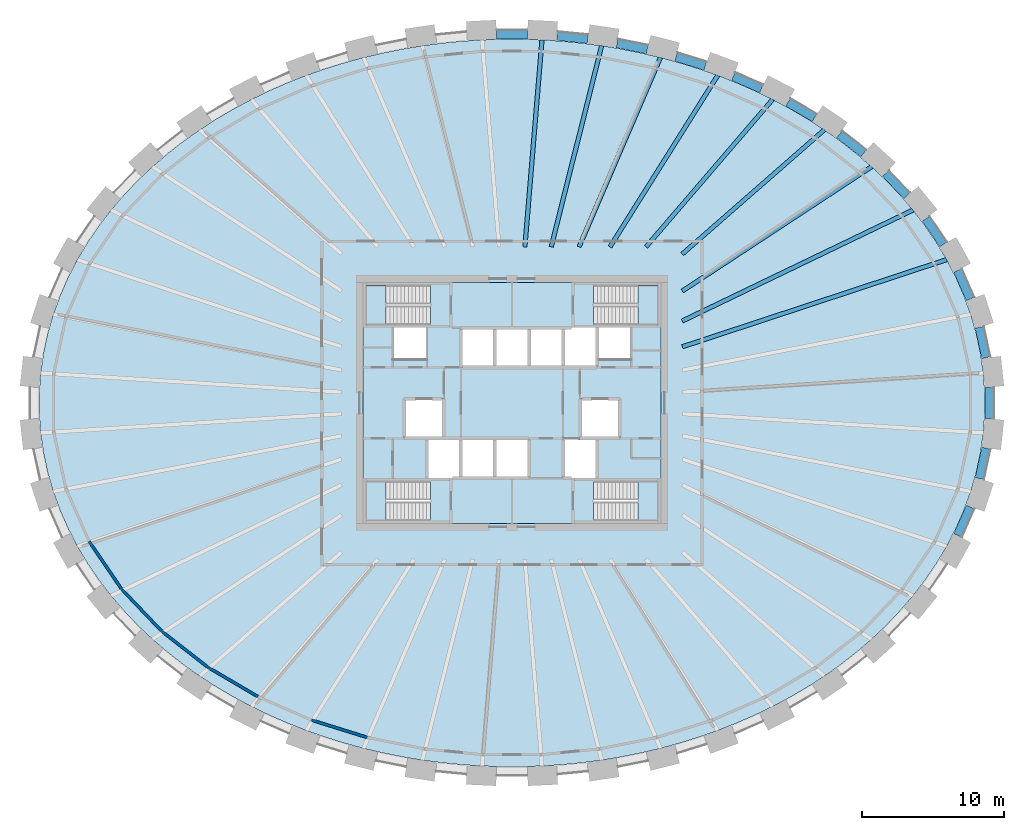
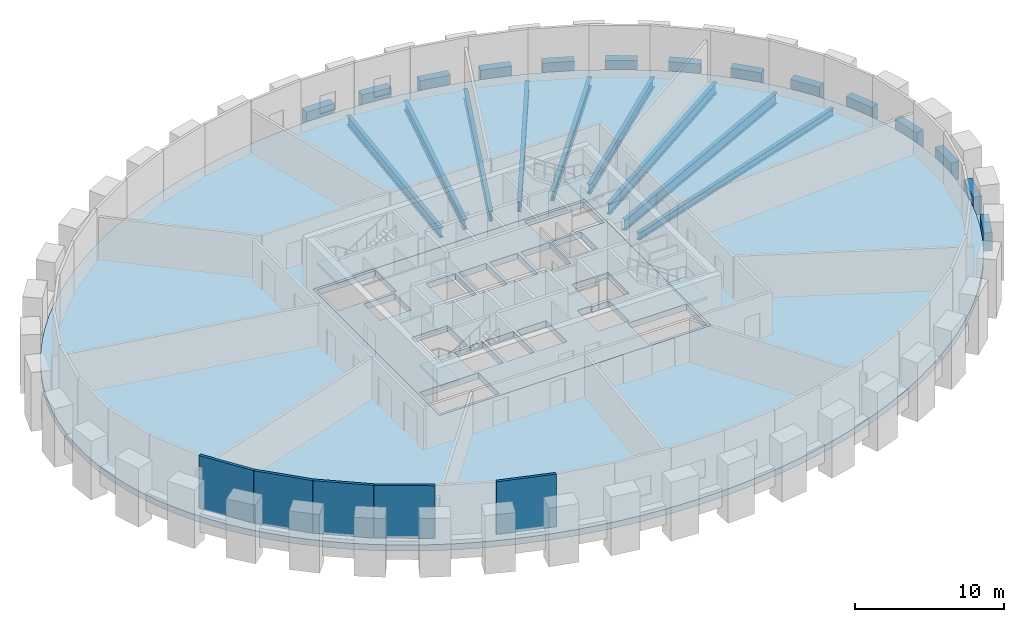
# One storey, part 2 of 8: 23 beams, 6 slabs, 5 walls, 4 elements without a shape of their own.
"""IFC4 building model written with IfcOpenShell, lengths in metres."""

from ifc_helpers import new_model, si_unit, direction, frame, frame_2d, origin, origin_2d, place, context, subcontext, project, spatial, polyline, rectangle, i_section, outline, extrude, source, transform, mapped, material, layer, layer_set, material_profile, profile_set, type_object, element, aggregate, save


model = new_model("IFC4")

# Units and contexts
model_context = context("Model", 3, precision=1e-05, world=origin(), true_north=direction((0.0, 1.0)))
body_context = subcontext(model_context, "Body", "Model", "MODEL_VIEW")
ifc_project = project(units=[si_unit("LENGTHUNIT", "METRE"), si_unit("AREAUNIT", "SQUARE_METRE"), si_unit("VOLUMEUNIT", "CUBIC_METRE"), si_unit("PLANEANGLEUNIT", "RADIAN"), si_unit("MASSUNIT", "GRAM", prefix="KILO")], contexts=[model_context])

# Site, building, storey
site_placement = place(None, origin())
site = spatial("IfcSite", under=ifc_project, at=site_placement, CompositionType="ELEMENT")
building_placement = place(site_placement, origin())
building = spatial("IfcBuilding", under=site, at=building_placement, Name="Embergate Tower", CompositionType="ELEMENT")
storey_placement = place(building_placement, frame((0.0, 0.0, 241.60009765625)))
storey = spatial("IfcBuildingStorey", under=building, at=storey_placement, Name="L55", CompositionType="ELEMENT", Elevation=241.60009765625)

# Beams
ifc_material_1 = material(Name="Concrete C60", Category="concrete")
ifc_material_profile_1 = material_profile(ifc_material_1, rectangle(XDim=0.60009765625, YDim=1.5, at=origin_2d()), Name="RC 600x1500")
ifc_profile_set_1 = profile_set([ifc_material_profile_1], Name="Concrete C60")
beam_type_1 = type_object("IfcBeamType", Name="Spandrel beam RC 600x1500 C60", PredefinedType="BEAM", material=ifc_profile_set_1)
shared_shape_1 = source(origin(), body_context, "Body", "SweptSolid", [
    extrude(rectangle(XDim=0.60009765625, YDim=1.5, at=origin_2d()), origin(), (0.0, 0.0, 1.0), 2.19189453125),
])
for number, where, z_axis, x_axis, name in (
    (1, (33.39306640625, 3.18505859375, 0.0), (-0.210403774282, 0.977614572195, 0.0), (-0.977614572195, -0.210403774282, 0.0), "SPN-L55-00"),
    (2, (32.931884765625, -5.327880859375, 0.0), (0.210403774282, 0.977614572195, 0.0), (-0.977614572195, 0.210403774282, 0.0), "SPN-L55-42"),
):
    element("IfcBeam", number, at=place(storey_placement, frame(where, z_axis=z_axis, x_axis=x_axis)), inside=storey, type_object=beam_type_1, Name=name, PredefinedType="BEAM", context=body_context, shape_type="MappedRepresentation", body=[
        mapped(shared_shape_1, transform((0.0, 0.0, 0.0))),
    ])
shared_shape_2 = source(origin(), body_context, "Body", "SweptSolid", [
    extrude(rectangle(XDim=0.60009765625, YDim=1.5, at=origin_2d()), origin(), (0.0, 0.0, 1.0), 2.189697265625),
])
for number, where, z_axis, x_axis, name in (
    (3, (32.285888671875, 7.326904296875, 0.0), (-0.40183045861, 0.915714083398, 0.0), (-0.915714083398, -0.40183045861, 0.0), "SPN-L55-01"),
    (4, (31.406005859375, -9.33203125, 0.0), (0.40183045861, 0.915714083398, 0.0), (-0.915714083398, 0.40183045861, 0.0), "SPN-L55-41"),
):
    element("IfcBeam", number, at=place(storey_placement, frame(where, z_axis=z_axis, x_axis=x_axis)), inside=storey, type_object=beam_type_1, Name=name, PredefinedType="BEAM", context=body_context, shape_type="MappedRepresentation", body=[
        mapped(shared_shape_2, transform((0.0, 0.0, 0.0))),
    ])
shared_shape_3 = source(origin(), body_context, "Body", "SweptSolid", [
    extrude(rectangle(XDim=0.60009765625, YDim=1.5, at=origin_2d()), origin(), (0.0, 0.0, 1.0), 2.18408203125),
])
beam_1_placement = place(storey_placement, frame((30.388916015625, 11.169921875, 0.0), z_axis=(-0.562261100716, 0.826959766023, 0.0), x_axis=(-0.826959766023, -0.562261100716, 0.0)))
element("IfcBeam", 5, at=beam_1_placement, inside=storey, type_object=beam_type_1, Name="SPN-L55-02", PredefinedType="BEAM", context=body_context, shape_type="MappedRepresentation", body=[
    mapped(shared_shape_3, transform((0.0, 0.0, 0.0))),
])
shared_shape_4 = source(origin(), body_context, "Body", "SweptSolid", [
    extrude(rectangle(XDim=0.60009765625, YDim=1.5, at=origin_2d()), origin(), (0.0, 0.0, 1.0), 2.176513671875),
])
beam_2_placement = place(storey_placement, frame((27.825927734375, 14.596923828125, 0.0), z_axis=(-0.690080799147, 0.723732333566, 0.0), x_axis=(-0.723732333566, -0.690080799147, 0.0)))
element("IfcBeam", 6, at=beam_2_placement, inside=storey, type_object=beam_type_1, Name="SPN-L55-03", PredefinedType="BEAM", context=body_context, shape_type="MappedRepresentation", body=[
    mapped(shared_shape_4, transform((0.0, 0.0, 0.0))),
])
shared_shape_5 = source(origin(), body_context, "Body", "SweptSolid", [
    extrude(rectangle(XDim=0.60009765625, YDim=1.5, at=origin_2d()), origin(), (0.0, 0.0, 1.0), 2.17236328125),
])
beam_3_placement = place(storey_placement, frame((24.76708984375, 17.5810546875, 0.0), z_axis=(-0.788182809726, 0.615441190084, 0.0), x_axis=(-0.615441190084, -0.788182809726, 0.0)))
element("IfcBeam", 7, at=beam_3_placement, inside=storey, type_object=beam_type_1, Name="SPN-L55-04", PredefinedType="BEAM", context=body_context, shape_type="MappedRepresentation", body=[
    mapped(shared_shape_5, transform((0.0, 0.0, 0.0))),
])
shared_shape_6 = source(origin(), body_context, "Body", "SweptSolid", [
    extrude(rectangle(XDim=0.60009765625, YDim=1.5, at=origin_2d()), origin(), (0.0, 0.0, 1.0), 2.166748046875),
])
beam_4_placement = place(storey_placement, frame((21.306884765625, 20.08203125, 0.0), z_axis=(-0.862110858177, 0.506719713661, 0.0), x_axis=(-0.506719713661, -0.862110858177, 0.0)))
element("IfcBeam", 8, at=beam_4_placement, inside=storey, type_object=beam_type_1, Name="SPN-L55-05", PredefinedType="BEAM", context=body_context, shape_type="MappedRepresentation", body=[
    mapped(shared_shape_6, transform((0.0, 0.0, 0.0))),
])
shared_shape_7 = source(origin(), body_context, "Body", "SweptSolid", [
    extrude(rectangle(XDim=0.60009765625, YDim=1.5, at=origin_2d()), origin(), (0.0, 0.0, 1.0), 2.16357421875),
])
beam_5_placement = place(storey_placement, frame((17.569091796875, 22.134033203125, 0.0), z_axis=(-0.916201358039, 0.400718194654, 0.0), x_axis=(-0.400718194654, -0.916201358039, 0.0)))
element("IfcBeam", 9, at=beam_5_placement, inside=storey, type_object=beam_type_1, Name="SPN-L55-06", PredefinedType="BEAM", context=body_context, shape_type="MappedRepresentation", body=[
    mapped(shared_shape_7, transform((0.0, 0.0, 0.0))),
])
shared_shape_8 = source(origin(), body_context, "Body", "SweptSolid", [
    extrude(rectangle(XDim=0.60009765625, YDim=1.5, at=origin_2d()), origin(), (0.0, 0.0, 1.0), 2.161865234375),
])
beam_6_placement = place(storey_placement, frame((13.618896484375, 23.735107421875, 0.0), z_axis=(-0.954764896729, 0.297361719078, 0.0), x_axis=(-0.297361719078, -0.954764896729, 0.0)))
element("IfcBeam", 10, at=beam_6_placement, inside=storey, type_object=beam_type_1, Name="SPN-L55-07", PredefinedType="BEAM", context=body_context, shape_type="MappedRepresentation", body=[
    mapped(shared_shape_8, transform((0.0, 0.0, 0.0))),
])
shared_shape_9 = source(origin(), body_context, "Body", "SweptSolid", [
    extrude(rectangle(XDim=0.60009765625, YDim=1.5, at=origin_2d()), origin(), (0.0, 0.0, 1.0), 2.16015625),
])
beam_7_placement = place(storey_placement, frame((9.52099609375, 24.89697265625, 0.0), z_axis=(-0.980450051005, 0.196768131274, 0.0), x_axis=(-0.196768131274, -0.980450051005, 0.0)))
element("IfcBeam", 11, at=beam_7_placement, inside=storey, type_object=beam_type_1, Name="SPN-L55-08", PredefinedType="BEAM", context=body_context, shape_type="MappedRepresentation", body=[
    mapped(shared_shape_9, transform((0.0, 0.0, 0.0))),
])
shared_shape_10 = source(origin(), body_context, "Body", "SweptSolid", [
    extrude(rectangle(XDim=0.60009765625, YDim=1.5, at=origin_2d()), origin(), (0.0, 0.0, 1.0), 2.1591796875),
])
beam_8_placement = place(storey_placement, frame((5.325927734375, 25.632080078125, 0.0), z_axis=(-0.995216892722, 0.09769000174, 0.0), x_axis=(-0.09769000174, -0.995216892722, 0.0)))
element("IfcBeam", 12, at=beam_8_placement, inside=storey, type_object=beam_type_1, Name="SPN-L55-09", PredefinedType="BEAM", context=body_context, shape_type="MappedRepresentation", body=[
    mapped(shared_shape_10, transform((0.0, 0.0, 0.0))),
])
shared_shape_11 = source(origin(), body_context, "Body", "SweptSolid", [
    extrude(rectangle(XDim=0.60009765625, YDim=1.5, at=origin_2d()), origin(), (0.0, 0.0, 1.0), 2.158203125),
])
beam_9_placement = place(storey_placement, frame((1.0791015625, 25.946044921875, 0.0), z_axis=(-1.0, 0.0, 0.0), x_axis=(0.0, -1.0, 0.0)))
element("IfcBeam", 13, at=beam_9_placement, inside=storey, type_object=beam_type_1, Name="SPN-L55-10", PredefinedType="BEAM", context=body_context, shape_type="MappedRepresentation", body=[
    mapped(shared_shape_11, transform((0.0, 0.0, 0.0))),
])
shared_shape_12 = source(origin(), body_context, "Body", "SweptSolid", [
    extrude(rectangle(XDim=0.60009765625, YDim=1.5, at=origin_2d()), origin(), (0.0, 0.0, 1.0), 2.1982421875),
])
beam_10_placement = place(storey_placement, frame((33.635009765625, -1.09912109375, 0.0), z_axis=(0.0, 1.0, 0.0), x_axis=(-1.0, 0.0, 0.0)))
element("IfcBeam", 14, at=beam_10_placement, inside=storey, type_object=beam_type_1, Name="SPN-L55-43", PredefinedType="BEAM", context=body_context, shape_type="MappedRepresentation", body=[
    mapped(shared_shape_12, transform((0.0, 0.0, 0.0))),
])
ifc_material_2 = material(Name="Steel Q355B", Category="steel")
ifc_material_profile_2 = material_profile(ifc_material_2, i_section(OverallWidth=0.300048828125, OverallDepth=0.587890625, WebThickness=0.011962890625, FlangeThickness=0.02001953125, FilletRadius=0.012939453125, at=origin_2d()), Name="HM 588x300x12x20")
ifc_profile_set_2 = profile_set([ifc_material_profile_2], Name="Steel Q355 grade B")
beam_type_2 = type_object("IfcBeamType", Name="Plant girder HM 588x300x12x20", PredefinedType="BEAM", material=ifc_profile_set_2)
shared_shape_13 = source(origin(), body_context, "Body", "SweptSolid", [
    extrude(i_section(OverallWidth=0.300048828125, OverallDepth=0.587890625, WebThickness=0.011962890625, FlangeThickness=0.02001953125, FilletRadius=0.012939453125, at=origin_2d()), origin(), (0.0, 0.0, 1.0), 19.617919921875),
])
beam_11_placement = place(storey_placement, frame((30.631103515625, 10.10205078125, -0.794189453125), z_axis=(-0.949692661874, -0.313183409494, 0.0), x_axis=(0.313183409494, -0.949692661874, 0.0)))
element("IfcBeam", 15, at=beam_11_placement, inside=storey, type_object=beam_type_2, Name="GIR-L55-02", PredefinedType="BEAM", context=body_context, shape_type="MappedRepresentation", body=[
    mapped(shared_shape_13, transform((0.0, 0.0, 0.0))),
])
ifc_material_profile_3 = material_profile(ifc_material_2, i_section(OverallWidth=0.300048828125, OverallDepth=0.89990234375, WebThickness=0.01611328125, FlangeThickness=0.028076171875, FilletRadius=0.028076171875, at=origin_2d()), Name="HN 900x300x16x28")
ifc_profile_set_3 = profile_set([ifc_material_profile_3], Name="Steel Q355 grade B")
beam_type_3 = type_object("IfcBeamType", Name="Plant girder HN 900x300x16x28", PredefinedType="BEAM", material=ifc_profile_set_3)
shared_shape_14 = source(origin(), body_context, "Body", "SweptSolid", [
    extrude(i_section(OverallWidth=0.300048828125, OverallDepth=0.89990234375, WebThickness=0.01611328125, FlangeThickness=0.028076171875, FilletRadius=0.028076171875, at=origin_2d()), origin(), (0.0, 0.0, 1.0), 18.04052734375),
])
beam_12_placement = place(storey_placement, frame((28.257080078125, 13.593994140625, -0.9501953125), z_axis=(-0.901141111335, -0.433525890186, 0.0), x_axis=(0.433525890186, -0.901141111335, 0.0)))
element("IfcBeam", 16, at=beam_12_placement, inside=storey, type_object=beam_type_3, Name="GIR-L55-03", PredefinedType="BEAM", context=body_context, shape_type="MappedRepresentation", body=[
    mapped(shared_shape_14, transform((0.0, 0.0, 0.0))),
])
shared_shape_15 = source(origin(), body_context, "Body", "SweptSolid", [
    extrude(i_section(OverallWidth=0.300048828125, OverallDepth=0.89990234375, WebThickness=0.01611328125, FlangeThickness=0.028076171875, FilletRadius=0.028076171875, at=origin_2d()), origin(), (0.0, 0.0, 1.0), 15.964111328125),
])
beam_13_placement = place(storey_placement, frame((25.342041015625, 16.64990234375, -0.9501953125), z_axis=(-0.835756011606, -0.549100982575, 0.0), x_axis=(0.549100982575, -0.835756011606, 0.0)))
element("IfcBeam", 17, at=beam_13_placement, inside=storey, type_object=beam_type_3, Name="GIR-L55-04", PredefinedType="BEAM", context=body_context, shape_type="MappedRepresentation", body=[
    mapped(shared_shape_15, transform((0.0, 0.0, 0.0))),
])
ifc_material_profile_4 = material_profile(ifc_material_2, i_section(OverallWidth=0.300048828125, OverallDepth=0.800048828125, WebThickness=0.013916015625, FlangeThickness=0.02587890625, FilletRadius=0.028076171875, at=origin_2d()), Name="HN 800x300x14x26")
ifc_profile_set_4 = profile_set([ifc_material_profile_4], Name="Steel Q355 grade B")
beam_type_4 = type_object("IfcBeamType", Name="Plant girder HN 800x300x14x26", PredefinedType="BEAM", material=ifc_profile_set_4)
shared_shape_16 = source(origin(), body_context, "Body", "SweptSolid", [
    extrude(i_section(OverallWidth=0.300048828125, OverallDepth=0.800048828125, WebThickness=0.013916015625, FlangeThickness=0.02587890625, FilletRadius=0.028076171875, at=origin_2d()), origin(), (0.0, 0.0, 1.0), 13.30078125),
])
beam_14_placement = place(storey_placement, frame((22.011962890625, 19.25, -0.900146484375), z_axis=(-0.752739271947, -0.658318759013, 0.0), x_axis=(0.658318759013, -0.752739271947, 0.0)))
element("IfcBeam", 18, at=beam_14_placement, inside=storey, type_object=beam_type_4, Name="GIR-L55-05", PredefinedType="BEAM", context=body_context, shape_type="MappedRepresentation", body=[
    mapped(shared_shape_16, transform((0.0, 0.0, 0.0))),
])
shared_shape_17 = source(origin(), body_context, "Body", "SweptSolid", [
    extrude(i_section(OverallWidth=0.300048828125, OverallDepth=0.800048828125, WebThickness=0.013916015625, FlangeThickness=0.02587890625, FilletRadius=0.028076171875, at=origin_2d()), origin(), (0.0, 0.0, 1.0), 13.696533203125),
])
beam_15_placement = place(storey_placement, frame((18.368896484375, 21.39111328125, -0.900146484375), z_axis=(-0.651472240616, -0.758672471958, 0.0), x_axis=(0.758672471958, -0.651472240616, 0.0)))
element("IfcBeam", 19, at=beam_15_placement, inside=storey, type_object=beam_type_4, Name="GIR-L55-06", PredefinedType="BEAM", context=body_context, shape_type="MappedRepresentation", body=[
    mapped(shared_shape_17, transform((0.0, 0.0, 0.0))),
])
shared_shape_18 = source(origin(), body_context, "Body", "SweptSolid", [
    extrude(i_section(OverallWidth=0.300048828125, OverallDepth=0.800048828125, WebThickness=0.013916015625, FlangeThickness=0.02587890625, FilletRadius=0.028076171875, at=origin_2d()), origin(), (0.0, 0.0, 1.0), 14.27001953125),
])
beam_16_placement = place(storey_placement, frame((14.498046875, 23.083984375, -0.900146484375), z_axis=(-0.5318922611, -0.846812034977, 0.0), x_axis=(0.846812034977, -0.5318922611, 0.0)))
element("IfcBeam", 20, at=beam_16_placement, inside=storey, type_object=beam_type_4, Name="GIR-L55-07", PredefinedType="BEAM", context=body_context, shape_type="MappedRepresentation", body=[
    mapped(shared_shape_18, transform((0.0, 0.0, 0.0))),
])
shared_shape_19 = source(origin(), body_context, "Body", "SweptSolid", [
    extrude(i_section(OverallWidth=0.300048828125, OverallDepth=0.800048828125, WebThickness=0.013916015625, FlangeThickness=0.02587890625, FilletRadius=0.028076171875, at=origin_2d()), origin(), (0.0, 0.0, 1.0), 14.521484375),
])
beam_17_placement = place(storey_placement, frame((10.462890625, 24.341064453125, -0.900146484375), z_axis=(-0.394923459822, -0.918714025626, 0.0), x_axis=(0.918714025626, -0.394923459822, 0.0)))
element("IfcBeam", 21, at=beam_17_placement, inside=storey, type_object=beam_type_4, Name="GIR-L55-08", PredefinedType="BEAM", context=body_context, shape_type="MappedRepresentation", body=[
    mapped(shared_shape_19, transform((0.0, 0.0, 0.0))),
])
shared_shape_20 = source(origin(), body_context, "Body", "SweptSolid", [
    extrude(i_section(OverallWidth=0.300048828125, OverallDepth=0.800048828125, WebThickness=0.013916015625, FlangeThickness=0.02587890625, FilletRadius=0.028076171875, at=origin_2d()), origin(), (0.0, 0.0, 1.0), 14.612060546875),
])
beam_18_placement = place(storey_placement, frame((6.319091796875, 25.172119140625, -0.900146484375), z_axis=(-0.24350654977, -0.969899252613, 0.0), x_axis=(0.969899252613, -0.24350654977, 0.0)))
element("IfcBeam", 22, at=beam_18_placement, inside=storey, type_object=beam_type_4, Name="GIR-L55-09", PredefinedType="BEAM", context=body_context, shape_type="MappedRepresentation", body=[
    mapped(shared_shape_20, transform((0.0, 0.0, 0.0))),
])
shared_shape_21 = source(origin(), body_context, "Body", "SweptSolid", [
    extrude(i_section(OverallWidth=0.300048828125, OverallDepth=0.800048828125, WebThickness=0.013916015625, FlangeThickness=0.02587890625, FilletRadius=0.028076171875, at=origin_2d()), origin(), (0.0, 0.0, 1.0), 14.6357421875),
])
beam_19_placement = place(storey_placement, frame((2.113037109375, 25.5859375, -0.900146484375), z_axis=(-0.082338634272, -0.996604409636, 0.0), x_axis=(0.996604409636, -0.082338634272, 0.0)))
element("IfcBeam", 23, at=beam_19_placement, inside=storey, type_object=beam_type_4, Name="GIR-L55-10", PredefinedType="BEAM", context=body_context, shape_type="MappedRepresentation", body=[
    mapped(shared_shape_21, transform((0.0, 0.0, 0.0))),
])

# Slab
ifc_material_3 = material(Name="Concrete C50", Category="concrete")
ifc_layer_1 = layer(ifc_material_3, 0.5)
ifc_layer_set_1 = layer_set([ifc_layer_1], Name="Concrete C50")
slab_type_1 = type_object("IfcSlabType", Name="Plant floor slab C50 500", PredefinedType="FLOOR", material=ifc_layer_set_1)
shared_shape_22 = source(origin(), body_context, "Body", "SweptSolid", [
    extrude(outline(polyline([(0.0, 0.0), (1.41015625, 0.0), (2.818115234375, 0.046142578125), (4.22705078125, 0.13818359375), (5.630126953125, 0.275146484375), (7.024169921875, 0.458984375), (8.420166015625, 0.690185546875), (9.802978515625, 0.968017578125), (11.16796875, 1.2900390625), (12.5361328125, 1.6640625), (13.882080078125, 2.0830078125), (15.203125, 2.547119140625), (16.526123046875, 3.067138671875), (17.817138671875, 3.631103515625), (19.073974609375, 4.239990234375), (20.3310546875, 4.91015625), (21.546142578125, 5.625), (22.717041015625, 6.381103515625), (23.880126953125, 7.20703125), (24.990966796875, 8.07421875), (26.047119140625, 8.981201171875), (27.083984375, 9.962158203125), (28.05615234375, 10.982177734375), (28.962158203125, 12.037109375), (29.8310546875, 13.169189453125), (30.623046875, 14.333984375), (31.337158203125, 15.529052734375), (31.989990234375, 16.794189453125), (32.55615234375, 18.083984375), (33.031982421875, 19.39501953125), (33.425048828125, 20.757080078125), (33.72119140625, 22.134033203125), (33.920166015625, 23.52099609375), (34.02001953125, 24.927001953125), (34.02001953125, 26.335205078125), (33.920166015625, 27.7412109375), (33.72119140625, 29.128173828125), (33.425048828125, 30.505126953125), (33.031982421875, 31.8671875), (32.55615234375, 33.17822265625), (31.989990234375, 34.468017578125), (31.337158203125, 35.733154296875), (30.623046875, 36.92822265625), (29.8310546875, 38.093017578125), (28.962158203125, 39.22509765625), (28.05615234375, 40.280029296875), (27.083984375, 41.300048828125), (26.047119140625, 42.281005859375), (24.990966796875, 43.18798828125), (23.880126953125, 44.05517578125), (22.717041015625, 44.881103515625), (21.546142578125, 45.63720703125), (20.3310546875, 46.35205078125), (19.073974609375, 47.022216796875), (17.817138671875, 47.631103515625), (16.526123046875, 48.195068359375), (15.203125, 48.715087890625), (13.882080078125, 49.17919921875), (12.5361328125, 49.59814453125), (11.16796875, 49.97216796875), (9.802978515625, 50.294189453125), (8.420166015625, 50.572021484375), (7.024169921875, 50.80322265625), (5.630126953125, 50.987060546875), (4.22705078125, 51.1240234375), (2.818115234375, 51.216064453125), (1.41015625, 51.26220703125), (0.0, 51.26220703125), (-1.407958984375, 51.216064453125), (-2.81689453125, 51.1240234375), (-4.219970703125, 50.987060546875), (-5.614013671875, 50.80322265625), (-7.010009765625, 50.572021484375), (-8.392822265625, 50.294189453125), (-9.7578125, 49.97216796875), (-11.1259765625, 49.59814453125), (-12.471923828125, 49.17919921875), (-13.79296875, 48.715087890625), (-15.115966796875, 48.195068359375), (-16.406982421875, 47.631103515625), (-17.663818359375, 47.022216796875), (-18.9208984375, 46.35205078125), (-20.135986328125, 45.63720703125), (-21.306884765625, 44.881103515625), (-22.469970703125, 44.05517578125), (-23.580810546875, 43.18798828125), (-24.636962890625, 42.281005859375), (-25.673828125, 41.300048828125), (-26.64599609375, 40.280029296875), (-27.552001953125, 39.22509765625), (-28.4208984375, 38.093017578125), (-29.212890625, 36.92822265625), (-29.927001953125, 35.733154296875), (-30.579833984375, 34.468017578125), (-31.14599609375, 33.17822265625), (-31.621826171875, 31.8671875), (-32.014892578125, 30.505126953125), (-32.31103515625, 29.128173828125), (-32.510009765625, 27.7412109375), (-32.60986328125, 26.335205078125), (-32.60986328125, 24.927001953125), (-32.510009765625, 23.52099609375), (-32.31103515625, 22.134033203125), (-32.014892578125, 20.757080078125), (-31.621826171875, 19.39501953125), (-31.14599609375, 18.083984375), (-30.579833984375, 16.794189453125), (-29.927001953125, 15.529052734375), (-29.212890625, 14.333984375), (-28.4208984375, 13.169189453125), (-27.552001953125, 12.037109375), (-26.64599609375, 10.982177734375), (-25.673828125, 9.962158203125), (-24.636962890625, 8.981201171875), (-23.580810546875, 8.07421875), (-22.469970703125, 7.20703125), (-21.306884765625, 6.381103515625), (-20.135986328125, 5.625), (-18.9208984375, 4.91015625), (-17.663818359375, 4.239990234375), (-16.406982421875, 3.631103515625), (-15.115966796875, 3.067138671875), (-13.79296875, 2.547119140625), (-12.471923828125, 2.0830078125), (-11.1259765625, 1.6640625), (-9.7578125, 1.2900390625), (-8.392822265625, 0.968017578125), (-7.010009765625, 0.690185546875), (-5.614013671875, 0.458984375), (-4.219970703125, 0.275146484375), (-2.81689453125, 0.13818359375), (-1.407958984375, 0.046142578125), (0.0, 0.0)]), holes=[polyline([(-9.794921875, 17.131103515625), (-9.794921875, 34.131103515625), (11.205078125, 34.131103515625), (11.205078125, 17.131103515625), (-9.794921875, 17.131103515625)])]), origin(), (0.0, 0.0, 1.0), 0.5),
])
slab_1_placement = place(storey_placement, frame((-0.705078125, -25.631103515625, -0.5)))
element("IfcSlab", 24, at=slab_1_placement, inside=storey, type_object=slab_type_1, Name="SLB-L55-00", PredefinedType="FLOOR", context=body_context, shape_type="MappedRepresentation", body=[
    mapped(shared_shape_22, transform((0.0, 0.0, 0.0))),
])

# Stair, slab
ifc_material_4 = material(Name="Exit stair")
stair_type = type_object("IfcStairType", Name="Exit stair", PredefinedType="HALF_TURN_STAIR", material=ifc_material_4)
stair_1_placement = place(storey_placement, origin())
stair_1 = element("IfcStair", 25, at=stair_1_placement, inside=storey, type_object=stair_type, Name="L55 Exit stair 1", PredefinedType="HALF_TURN_STAIR")
ifc_material_5 = material(Name="Concrete C40", Category="concrete")
ifc_layer_2 = layer(ifc_material_5, 0.199951171875)
ifc_layer_set_2 = layer_set([ifc_layer_2], Name="Concrete C40")
slab_type_2 = type_object("IfcSlabType", Name="Stair landing reinforced concrete", PredefinedType="LANDING", material=ifc_layer_set_2)
shared_shape_23 = source(origin(), body_context, "Body", "SweptSolid", [
    extrude(outline(polyline([(0.0, 0.0), (1.429931640625, 0.0), (1.429931640625, 2.800048828125), (0.0, 2.800048828125), (0.0, 0.0)])), origin(), (0.0, 0.0, 1.0), 0.2001953125),
])
slab_2_placement = place(storey_placement, frame((-10.300048828125, 5.5, 2.0498046875)))
slab_2 = element("IfcSlab", 26, at=slab_2_placement, type_object=slab_type_2, Name="ST1 landing 1", PredefinedType="LANDING", context=body_context, shape_type="MappedRepresentation", body=[
    mapped(shared_shape_23, transform((0.0, 0.0, 0.0))),
])
aggregate(stair_1, [slab_2])

stair_2_placement = place(storey_placement, origin())
stair_2 = element("IfcStair", 27, at=stair_2_placement, inside=storey, type_object=stair_type, Name="L55 Exit stair 2", PredefinedType="HALF_TURN_STAIR")
slab_3_placement = place(storey_placement, frame((8.8701171875, 5.5, 2.0498046875)))
slab_3 = element("IfcSlab", 28, at=slab_3_placement, type_object=slab_type_2, Name="ST2 landing 1", PredefinedType="LANDING", context=body_context, shape_type="MappedRepresentation", body=[
    mapped(shared_shape_23, transform((0.0, 0.0, 0.0))),
])
aggregate(stair_2, [slab_3])

stair_3_placement = place(storey_placement, origin())
stair_3 = element("IfcStair", 29, at=stair_3_placement, inside=storey, type_object=stair_type, Name="L55 Exit stair 3", PredefinedType="HALF_TURN_STAIR")
slab_4_placement = place(storey_placement, frame((-10.300048828125, -8.300048828125, 2.0498046875)))
slab_4 = element("IfcSlab", 30, at=slab_4_placement, type_object=slab_type_2, Name="ST3 landing 1", PredefinedType="LANDING", context=body_context, shape_type="MappedRepresentation", body=[
    mapped(shared_shape_23, transform((0.0, 0.0, 0.0))),
])
aggregate(stair_3, [slab_4])

stair_4_placement = place(storey_placement, origin())
stair_4 = element("IfcStair", 31, at=stair_4_placement, inside=storey, type_object=stair_type, Name="L55 Exit stair 4", PredefinedType="HALF_TURN_STAIR")
slab_5_placement = place(storey_placement, frame((8.8701171875, -8.300048828125, 2.0498046875)))
slab_5 = element("IfcSlab", 32, at=slab_5_placement, type_object=slab_type_2, Name="ST4 landing 1", PredefinedType="LANDING", context=body_context, shape_type="MappedRepresentation", body=[
    mapped(shared_shape_23, transform((0.0, 0.0, 0.0))),
])
aggregate(stair_4, [slab_5])

# Slab
ifc_layer_3 = layer(ifc_material_5, 0.5)
ifc_layer_set_3 = layer_set([ifc_layer_3], Name="Concrete C40")
slab_type_3 = type_object("IfcSlabType", Name="Core floor slab 500 reinforced concrete", PredefinedType="FLOOR", material=ifc_layer_set_3)
shared_shape_24 = source(origin(), body_context, "Body", "SweptSolid", [
    extrude(outline(polyline([(0.0, 0.0), (21.0, 0.0), (21.0, 17.0), (0.0, 17.0), (0.0, 0.0)]), holes=[polyline([(0.199951171875, 0.199951171875), (0.199951171875, 3.0), (4.739990234375, 3.0), (4.739990234375, 0.199951171875), (0.199951171875, 0.199951171875)]), polyline([(16.260009765625, 0.199951171875), (16.260009765625, 3.0), (20.800048828125, 3.0), (20.800048828125, 0.199951171875), (16.260009765625, 0.199951171875)]), polyline([(4.5, 3.199951171875), (4.5, 5.875), (5.824951171875, 5.875), (5.824951171875, 6.0), (6.77490234375, 6.0), (6.77490234375, 3.199951171875), (4.5, 3.199951171875)]), polyline([(7.02490234375, 3.199951171875), (7.02490234375, 6.0), (9.175048828125, 6.0), (9.175048828125, 3.199951171875), (7.02490234375, 3.199951171875)]), polyline([(9.425048828125, 3.199951171875), (9.425048828125, 6.0), (11.699951171875, 6.0), (11.699951171875, 3.199951171875), (9.425048828125, 3.199951171875)]), polyline([(14.10009765625, 3.199951171875), (14.10009765625, 6.0), (15.175048828125, 6.0), (15.175048828125, 5.875), (16.5, 5.875), (16.5, 3.199951171875), (14.10009765625, 3.199951171875)]), polyline([(2.89990234375, 6.0), (2.89990234375, 8.800048828125), (5.699951171875, 8.800048828125), (5.699951171875, 6.125), (4.375, 6.125), (4.375, 6.0), (2.89990234375, 6.0)]), polyline([(16.625, 6.0), (16.625, 6.125), (15.300048828125, 6.125), (15.300048828125, 8.800048828125), (18.10009765625, 8.800048828125), (18.10009765625, 6.0), (16.625, 6.0)]), polyline([(6.89990234375, 11.0), (6.89990234375, 13.800048828125), (9.175048828125, 13.800048828125), (9.175048828125, 11.0), (6.89990234375, 11.0)]), polyline([(9.425048828125, 11.0), (9.425048828125, 13.800048828125), (11.574951171875, 13.800048828125), (11.574951171875, 11.0), (9.425048828125, 11.0)]), polyline([(11.824951171875, 11.0), (11.824951171875, 13.800048828125), (13.97509765625, 13.800048828125), (13.97509765625, 11.0), (11.824951171875, 11.0)]), polyline([(14.22509765625, 11.0), (14.22509765625, 13.800048828125), (16.5, 13.800048828125), (16.5, 11.0), (14.22509765625, 11.0)]), polyline([(2.10009765625, 11.60009765625), (2.10009765625, 13.800048828125), (4.5, 13.800048828125), (4.5, 11.60009765625), (2.10009765625, 11.60009765625)]), polyline([(16.625, 11.60009765625), (16.625, 13.800048828125), (18.89990234375, 13.800048828125), (18.89990234375, 11.60009765625), (16.625, 11.60009765625)]), polyline([(0.199951171875, 14.0), (0.199951171875, 16.800048828125), (4.739990234375, 16.800048828125), (4.739990234375, 14.0), (0.199951171875, 14.0)]), polyline([(16.260009765625, 14.0), (16.260009765625, 16.800048828125), (20.800048828125, 16.800048828125), (20.800048828125, 14.0), (16.260009765625, 14.0)])]), origin(), (0.0, 0.0, 1.0), 0.5),
])
slab_6_placement = place(storey_placement, frame((-10.5, -8.5, -0.5)))
element("IfcSlab", 33, at=slab_6_placement, inside=storey, type_object=slab_type_3, Name="Core floor slab", PredefinedType="FLOOR", context=body_context, shape_type="MappedRepresentation", body=[
    mapped(shared_shape_24, transform((0.0, 0.0, 0.0))),
])

# Walls
ifc_material_6 = material(Name="Terracotta louvre cladding on insulated backing", Category="masonry")
ifc_layer_4 = layer(ifc_material_6, 0.199951171875)
ifc_layer_set_4 = layer_set([ifc_layer_4], Name="Terracotta louvre cladding on insulated backing")
wall_type = type_object("IfcWallType", Name="Terracotta louvre wall", PredefinedType="SOLIDWALL", material=ifc_layer_set_4)
shared_shape_25 = source(origin(), body_context, "Body", "SweptSolid", [
    extrude(rectangle(XDim=4.066650390625, YDim=0.199951171875, at=frame_2d((2.033203125, 0.0))), origin(), (0.0, 0.0, 1.0), 4.2998046875),
])
wall_1_placement = place(storey_placement, frame((-27.508056640625, -13.119384765625, 0.0), z_axis=(0.0, 0.0, 1.0), x_axis=(-0.562337936213, 0.826907519312, 0.0)))
element("IfcWall", 34, at=wall_1_placement, inside=storey, type_object=wall_type, Name="Louvre wall 25", PredefinedType="SOLIDWALL", context=body_context, shape_type="MappedRepresentation", body=[
    mapped(shared_shape_25, transform((0.0, 0.0, 0.0))),
])
shared_shape_26 = source(origin(), body_context, "Body", "SweptSolid", [
    extrude(rectangle(XDim=4.0751953125, YDim=0.199951171875, at=frame_2d((2.03759765625, 0.0))), origin(), (0.0, 0.0, 1.0), 4.2998046875),
])
wall_2_placement = place(storey_placement, frame((-24.68310546875, -16.084228515625, 0.0), z_axis=(0.0, 0.0, 1.0), x_axis=(-0.690133711383, 0.723681877908, 0.0)))
element("IfcWall", 35, at=wall_2_placement, inside=storey, type_object=wall_type, Name="Louvre wall 26", PredefinedType="SOLIDWALL", context=body_context, shape_type="MappedRepresentation", body=[
    mapped(shared_shape_26, transform((0.0, 0.0, 0.0))),
])
shared_shape_27 = source(origin(), body_context, "Body", "SweptSolid", [
    extrude(rectangle(XDim=4.0830078125, YDim=0.199951171875, at=frame_2d((2.04150390625, 0.0))), origin(), (0.0, 0.0, 1.0), 4.2998046875),
])
wall_3_placement = place(storey_placement, frame((-21.449462890625, -18.60986328125, 0.0), z_axis=(0.0, 0.0, 1.0), x_axis=(-0.788314368781, 0.615272667988, 0.0)))
element("IfcWall", 36, at=wall_3_placement, inside=storey, type_object=wall_type, Name="Louvre wall 27", PredefinedType="SOLIDWALL", context=body_context, shape_type="MappedRepresentation", body=[
    mapped(shared_shape_27, transform((0.0, 0.0, 0.0))),
])
shared_shape_28 = source(origin(), body_context, "Body", "SweptSolid", [
    extrude(rectangle(XDim=4.0888671875, YDim=0.199951171875, at=frame_2d((2.04443359375, 0.0))), origin(), (0.0, 0.0, 1.0), 4.2998046875),
])
wall_4_placement = place(storey_placement, frame((-17.908203125, -20.693359375, 0.0), z_axis=(0.0, 0.0, 1.0), x_axis=(-0.862063119584, 0.506800925269, 0.0)))
element("IfcWall", 37, at=wall_4_placement, inside=storey, type_object=wall_type, Name="Louvre wall 28", PredefinedType="SOLIDWALL", context=body_context, shape_type="MappedRepresentation", body=[
    mapped(shared_shape_28, transform((0.0, 0.0, 0.0))),
])
shared_shape_29 = source(origin(), body_context, "Body", "SweptSolid", [
    extrude(rectangle(XDim=4.096923828125, YDim=0.199951171875, at=frame_2d((2.04833984375, 0.0))), origin(), (0.0, 0.0, 1.0), 4.2998046875),
])
wall_5_placement = place(storey_placement, frame((-10.209228515625, -23.567626953125, 0.0), z_axis=(0.0, 0.0, 1.0), x_axis=(-0.954782746395, 0.297304401558, 0.0)))
element("IfcWall", 38, at=wall_5_placement, inside=storey, type_object=wall_type, Name="Louvre wall 30", PredefinedType="SOLIDWALL", context=body_context, shape_type="MappedRepresentation", body=[
    mapped(shared_shape_29, transform((0.0, 0.0, 0.0))),
])

save(model, "model.ifc")
